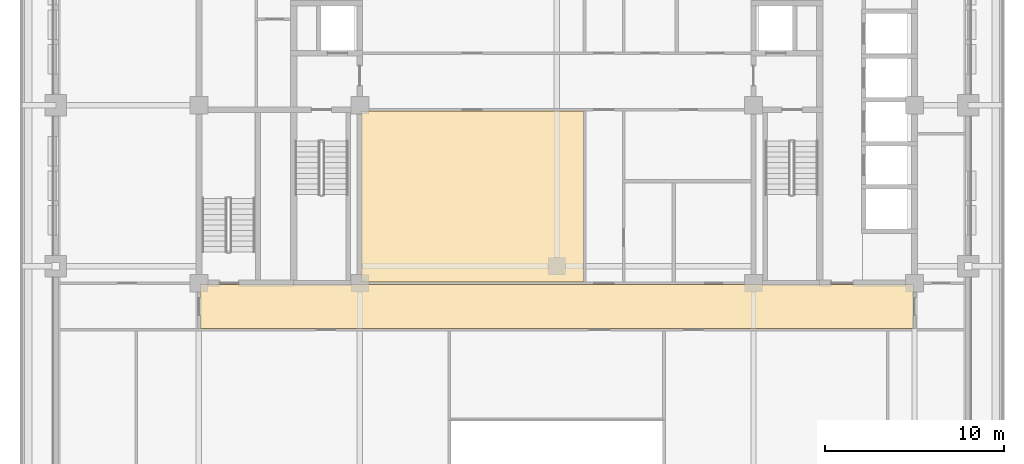
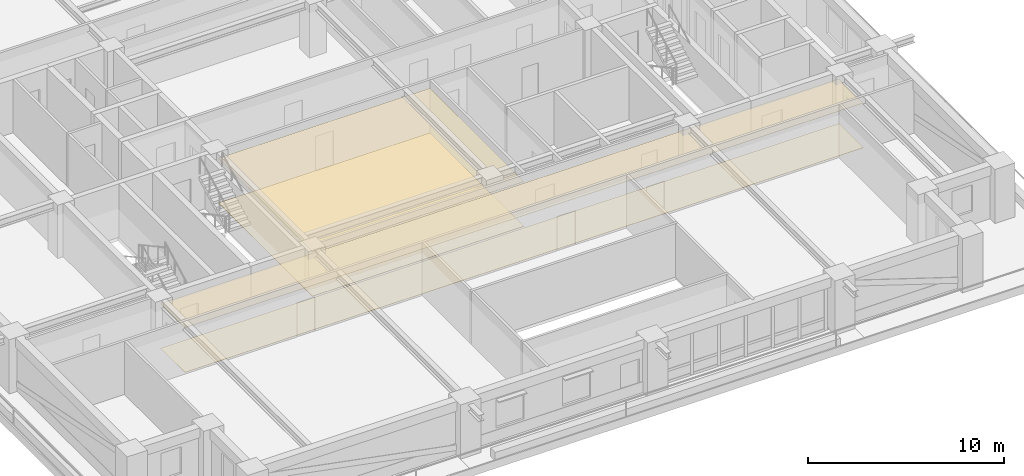
# One storey, part 17 of 20: 4 coverings.
"""IFC4 building model written with IfcOpenShell, lengths in metres."""

from ifc_helpers import new_model, si_unit, direction, frame, origin, place, context, subcontext, project, spatial, polyline, outline, extrude, material, layer, layer_set, type_object, element, save


model = new_model("IFC4")

# Units and contexts
model_context = context("Model", 3, precision=1e-05, world=origin(), true_north=direction((0.0, 1.0)))
body_context = subcontext(model_context, "Body", "Model", "MODEL_VIEW")
ifc_project = project(units=[si_unit("LENGTHUNIT", "METRE"), si_unit("AREAUNIT", "SQUARE_METRE"), si_unit("VOLUMEUNIT", "CUBIC_METRE"), si_unit("PLANEANGLEUNIT", "RADIAN"), si_unit("MASSUNIT", "GRAM", prefix="KILO")], contexts=[model_context])

# Site, building, storey
site_placement = place(None, origin())
site = spatial("IfcSite", under=ifc_project, at=site_placement, CompositionType="ELEMENT")
building_placement = place(site_placement, origin())
building = spatial("IfcBuilding", under=site, at=building_placement, Name="Zulmaris Gate Convention Tower", CompositionType="ELEMENT")
storey_placement = place(building_placement, frame((0.0, 0.0, 146.33984375)))
storey = spatial("IfcBuildingStorey", under=building, at=storey_placement, Name="L37", CompositionType="ELEMENT", Elevation=146.33984375)

# Coverings
ifc_material_1 = material(Name="Mineral Fibre Acoustic Ceiling Tile")
ifc_layer_1 = layer(ifc_material_1, 0.02001953125, Name="Mineral Fibre Acoustic Ceiling Tile")
ifc_layer_set_1 = layer_set([ifc_layer_1], Name="Mineral Fibre Acoustic Ceiling Tile")
covering_type_1 = type_object("IfcCoveringType", Name="CLG-ACOUSTIC-600", PredefinedType="CEILING", material=ifc_layer_set_1)
covering_1_placement = place(storey_placement, frame((0.0, 0.0, 2.778076171875)))
element("IfcCovering", 1, at=covering_1_placement, inside=storey, type_object=covering_type_1, Name="CLG-L37-R33", PredefinedType="CEILING", context=body_context, shape_type="SweptSolid", body=[
    extrude(outline(polyline([(-19.93994140625, -12.489990234375), (19.93994140625, -12.489990234375), (19.93994140625, -10.010009765625), (-19.93994140625, -10.010009765625), (-19.93994140625, -12.489990234375)])), origin(), (0.0, 0.0, 1.0), 0.02001953125),
])
covering_2_placement = place(storey_placement, frame((0.0, 0.0, 2.778076171875)))
element("IfcCovering", 2, at=covering_2_placement, inside=storey, type_object=covering_type_1, Name="CLG-L37-R46", PredefinedType="CEILING", context=body_context, shape_type="SweptSolid", body=[
    extrude(outline(polyline([(-10.93994140625, -9.889892578125), (1.489990234375, -9.889892578125), (1.489990234375, -0.31005859375), (-10.93994140625, -0.31005859375), (-10.93994140625, -9.889892578125)])), origin(), (0.0, 0.0, 1.0), 0.02001953125),
])
ifc_material_2 = material(Name="Woven Acoustic Wool Carpet Tile")
ifc_layer_2 = layer(ifc_material_2, 0.02001953125, Name="Woven Acoustic Wool Carpet Tile")
ifc_layer_set_2 = layer_set([ifc_layer_2], Name="Woven Acoustic Wool Carpet Tile")
covering_type_2 = type_object("IfcCoveringType", Name="FLR-CARPET-12", PredefinedType="FLOORING", material=ifc_layer_set_2)
covering_3_placement = place(storey_placement, origin())
element("IfcCovering", 3, at=covering_3_placement, inside=storey, type_object=covering_type_2, Name="FLR-L37-R33", PredefinedType="FLOORING", context=body_context, shape_type="SweptSolid", body=[
    extrude(outline(polyline([(-19.93994140625, -12.489990234375), (19.93994140625, -12.489990234375), (19.93994140625, -10.010009765625), (-19.93994140625, -10.010009765625), (-19.93994140625, -12.489990234375)])), origin(), (0.0, 0.0, 1.0), 0.02001953125),
])
covering_4_placement = place(storey_placement, origin())
element("IfcCovering", 4, at=covering_4_placement, inside=storey, type_object=covering_type_2, Name="FLR-L37-R46", PredefinedType="FLOORING", context=body_context, shape_type="SweptSolid", body=[
    extrude(outline(polyline([(-10.93994140625, -9.889892578125), (1.489990234375, -9.889892578125), (1.489990234375, -0.31005859375), (-10.93994140625, -0.31005859375), (-10.93994140625, -9.889892578125)])), origin(), (0.0, 0.0, 1.0), 0.02001953125),
])

save(model, "model.ifc")
